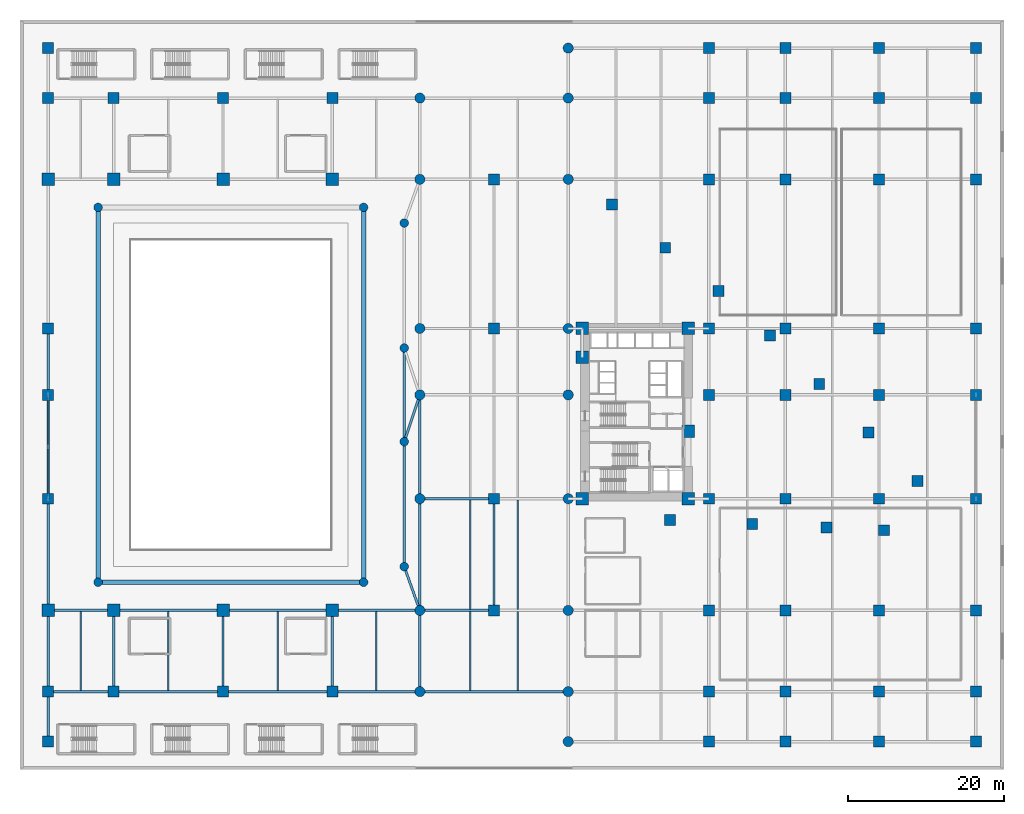
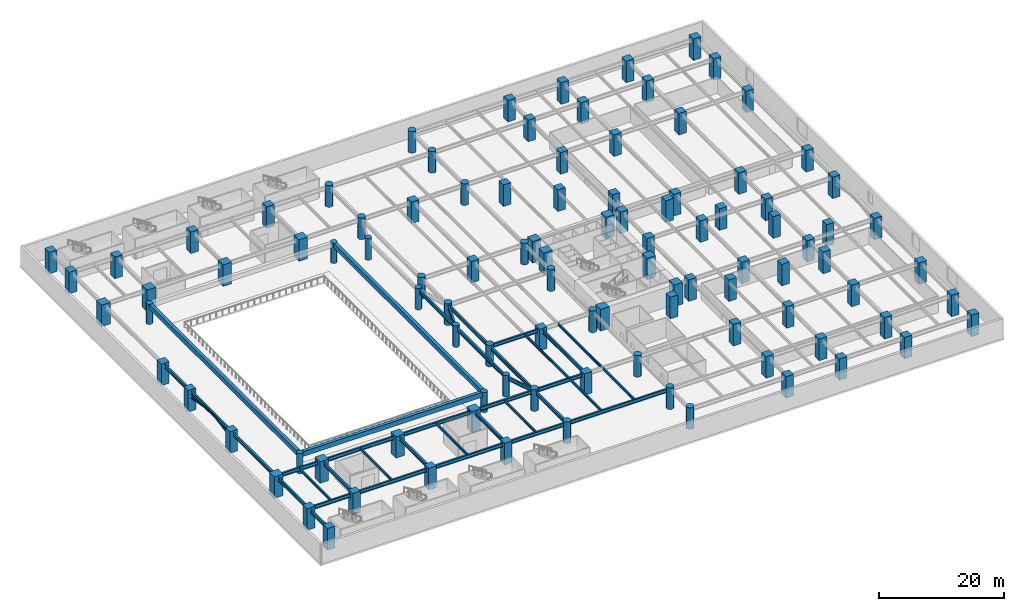
# One storey, part 1 of 25: 102 columns, 38 beams, 2 members.
"""IFC4 building model written with IfcOpenShell, lengths in metres."""

from ifc_helpers import new_model, si_unit, direction, frame, origin, origin_2d, place, context, subcontext, project, spatial, rectangle, circle, hollow_circle, i_section, extrude, material, material_profile, profile_set, type_object, element, save


model = new_model("IFC4")

# Units and contexts
model_context = context("Model", 3, precision=1e-05, world=origin(), true_north=direction((0.0, 1.0)))
body_context = subcontext(model_context, "Body", "Model", "MODEL_VIEW")
ifc_project = project(units=[si_unit("LENGTHUNIT", "METRE"), si_unit("AREAUNIT", "SQUARE_METRE"), si_unit("VOLUMEUNIT", "CUBIC_METRE"), si_unit("PLANEANGLEUNIT", "RADIAN"), si_unit("MASSUNIT", "GRAM", prefix="KILO")], contexts=[model_context])

# Site, building, storey
site_placement = place(None, origin())
site = spatial("IfcSite", under=ifc_project, at=site_placement, CompositionType="ELEMENT")
building_placement = place(site_placement, origin())
building = spatial("IfcBuilding", under=site, at=building_placement, Name="Narakoshi Arena Tower", CompositionType="ELEMENT")
storey_placement = place(building_placement, frame((0.0, 0.0, 9.0)))
storey = spatial("IfcBuildingStorey", under=building, at=storey_placement, Name="L02", CompositionType="ELEMENT", Elevation=9.0)

# Columns
ifc_material_1 = material(Name="Concrete C50/60", Category="concrete")
ifc_material_profile_1 = material_profile(ifc_material_1, circle(Radius=0.550048828125, at=origin_2d()), Name="RCC1100")
ifc_profile_set_1 = profile_set([ifc_material_profile_1], Name="Concrete C50/60")
column_type_1 = type_object("IfcColumnType", Name="COL-CIR1100", PredefinedType="PILASTER", material=ifc_profile_set_1)
for number, where, z_axis, x_axis, name in (
    (1, (10.0, 24.0, 0.0), (0.0, 0.0, 1.0), (1.0, 0.0, 0.0), "L02 Arena Bowl Raker Column BWL3A"),
    (2, (44.0, 24.0, 0.0), (0.0, 0.0, 1.0), (1.0, 0.0, 0.0), "L02 Arena Bowl Raker Column BWL3B"),
    (3, (44.0, 72.0, 0.0), (0.0, 0.0, 1.0), (1.0, 0.0, 0.0), "L02 Arena Bowl Raker Column BWL3C"),
    (4, (10.0, 72.0, 0.0), (0.0, 0.0, 1.0), (1.0, 0.0, 0.0), "L02 Arena Bowl Raker Column BWL3D"),
):
    element("IfcColumn", number, at=place(storey_placement, frame(where, z_axis=z_axis, x_axis=x_axis)), inside=storey, type_object=column_type_1, Name=name, PredefinedType="PILASTER", context=body_context, shape_type="SweptSolid", body=[
        extrude(circle(Radius=0.550048828125, at=origin_2d()), origin(), (0.0, 0.0, 1.0), 3.919921875),
    ])
for number, where, z_axis, x_axis, name in (
    (5, (49.199951171875, 26.0, 0.0), (0.0, 0.0, 1.0), (1.0, 0.0, 0.0), "L02 Arena Foyer Pilaster Column 01"),
    (6, (49.199951171875, 42.0, 0.0), (0.0, 0.0, 1.0), (1.0, 0.0, 0.0), "L02 Arena Foyer Pilaster Column 02"),
    (7, (49.199951171875, 54.0, 0.0), (0.0, 0.0, 1.0), (1.0, 0.0, 0.0), "L02 Arena Foyer Pilaster Column 03"),
    (8, (49.199951171875, 70.0, 0.0), (0.0, 0.0, 1.0), (1.0, 0.0, 0.0), "L02 Arena Foyer Pilaster Column 04"),
):
    element("IfcColumn", number, at=place(storey_placement, frame(where, z_axis=z_axis, x_axis=x_axis)), inside=storey, type_object=column_type_1, Name=name, PredefinedType="PILASTER", context=body_context, shape_type="SweptSolid", body=[
        extrude(circle(Radius=0.550048828125, at=origin_2d()), origin(), (0.0, 0.0, 1.0), 4.199951171875),
    ])
ifc_material_2 = material(Name="Concrete C60/75", Category="concrete")
ifc_material_profile_2 = material_profile(ifc_material_2, circle(Radius=0.64990234375, at=origin_2d()), Name="RCC1300")
ifc_profile_set_2 = profile_set([ifc_material_profile_2], Name="Concrete C60/75")
column_type_2 = type_object("IfcColumnType", Name="COL-CIR1300", PredefinedType="PILASTER", material=ifc_profile_set_2)
for number, where, z_axis, x_axis, name in (
    (9, (51.199951171875, 10.0, 0.0), (0.0, 0.0, 1.0), (1.0, 0.0, 0.0), "L02 Podium Column PC22"),
    (10, (51.199951171875, 20.39990234375, 0.0), (0.0, 0.0, 1.0), (1.0, 0.0, 0.0), "L02 Podium Column PC23"),
    (11, (51.199951171875, 34.699951171875, 0.0), (0.0, 0.0, 1.0), (1.0, 0.0, 0.0), "L02 Podium Column PC24"),
    (12, (51.199951171875, 48.0, 0.0), (0.0, 0.0, 1.0), (1.0, 0.0, 0.0), "L02 Podium Column PC25"),
    (13, (51.199951171875, 56.5, 0.0), (0.0, 0.0, 1.0), (1.0, 0.0, 0.0), "L02 Podium Column PC26"),
    (14, (51.199951171875, 75.60009765625, 0.0), (0.0, 0.0, 1.0), (1.0, 0.0, 0.0), "L02 Podium Column PC27"),
    (15, (51.199951171875, 86.0, 0.0), (0.0, 0.0, 1.0), (1.0, 0.0, 0.0), "L02 Podium Column PC28"),
    (16, (70.199951171875, 3.60009765625, 0.0), (0.0, 0.0, 1.0), (1.0, 0.0, 0.0), "L02 Podium Column PC33"),
    (17, (70.199951171875, 10.0, 0.0), (0.0, 0.0, 1.0), (1.0, 0.0, 0.0), "L02 Podium Column PC34"),
    (18, (70.199951171875, 20.39990234375, 0.0), (0.0, 0.0, 1.0), (1.0, 0.0, 0.0), "L02 Podium Column PC35"),
    (19, (70.199951171875, 34.699951171875, 0.0), (0.0, 0.0, 1.0), (1.0, 0.0, 0.0), "L02 Podium Column PC36"),
    (20, (70.199951171875, 48.0, 0.0), (0.0, 0.0, 1.0), (1.0, 0.0, 0.0), "L02 Podium Column PC37"),
    (21, (70.199951171875, 56.5, 0.0), (0.0, 0.0, 1.0), (1.0, 0.0, 0.0), "L02 Podium Column PC38"),
    (22, (70.199951171875, 75.60009765625, 0.0), (0.0, 0.0, 1.0), (1.0, 0.0, 0.0), "L02 Podium Column PC39"),
    (23, (70.199951171875, 86.0, 0.0), (0.0, 0.0, 1.0), (1.0, 0.0, 0.0), "L02 Podium Column PC40"),
    (24, (70.199951171875, 92.39990234375, 0.0), (0.0, 0.0, 1.0), (1.0, 0.0, 0.0), "L02 Podium Column PC41"),
):
    element("IfcColumn", number, at=place(storey_placement, frame(where, z_axis=z_axis, x_axis=x_axis)), inside=storey, type_object=column_type_2, Name=name, PredefinedType="PILASTER", context=body_context, shape_type="SweptSolid", body=[
        extrude(circle(Radius=0.64990234375, at=origin_2d()), origin(), (0.0, 0.0, 1.0), 4.199951171875),
    ])
ifc_material_profile_3 = material_profile(ifc_material_2, rectangle(XDim=1.39990234375, YDim=1.39990234375, at=origin_2d()), Name="RC1400x1400")
ifc_profile_set_3 = profile_set([ifc_material_profile_3], Name="Concrete C60/75")
column_type_3 = type_object("IfcColumnType", Name="COL-RC1400", PredefinedType="COLUMN", material=ifc_profile_set_3)
for number, where, z_axis, x_axis, name in (
    (25, (3.60009765625, 3.60009765625, 0.0), (0.0, 0.0, 1.0), (1.0, 0.0, 0.0), "L02 Podium Column PC01"),
    (26, (3.60009765625, 10.0, 0.0), (0.0, 0.0, 1.0), (1.0, 0.0, 0.0), "L02 Podium Column PC02"),
    (27, (3.60009765625, 34.699951171875, 0.0), (0.0, 0.0, 1.0), (1.0, 0.0, 0.0), "L02 Podium Column PC04"),
    (28, (3.60009765625, 48.0, 0.0), (0.0, 0.0, 1.0), (1.0, 0.0, 0.0), "L02 Podium Column PC05"),
    (29, (3.60009765625, 56.5, 0.0), (0.0, 0.0, 1.0), (1.0, 0.0, 0.0), "L02 Podium Column PC06"),
    (30, (3.60009765625, 86.0, 0.0), (0.0, 0.0, 1.0), (1.0, 0.0, 0.0), "L02 Podium Column PC08"),
    (31, (3.60009765625, 92.39990234375, 0.0), (0.0, 0.0, 1.0), (1.0, 0.0, 0.0), "L02 Podium Column PC09"),
    (32, (12.0, 10.0, 0.0), (0.0, 0.0, 1.0), (1.0, 0.0, 0.0), "L02 Podium Column PC10"),
    (33, (12.0, 86.0, 0.0), (0.0, 0.0, 1.0), (1.0, 0.0, 0.0), "L02 Podium Column PC13"),
    (34, (26.0, 10.0, 0.0), (0.0, 0.0, 1.0), (1.0, 0.0, 0.0), "L02 Podium Column PC14"),
    (35, (26.0, 86.0, 0.0), (0.0, 0.0, 1.0), (1.0, 0.0, 0.0), "L02 Podium Column PC17"),
    (36, (40.0, 10.0, 0.0), (0.0, 0.0, 1.0), (1.0, 0.0, 0.0), "L02 Podium Column PC18"),
    (37, (40.0, 86.0, 0.0), (0.0, 0.0, 1.0), (1.0, 0.0, 0.0), "L02 Podium Column PC21"),
    (38, (60.699951171875, 20.39990234375, 0.0), (0.0, 0.0, 1.0), (1.0, 0.0, 0.0), "L02 Podium Column PC29"),
    (39, (60.699951171875, 34.699951171875, 0.0), (0.0, 0.0, 1.0), (1.0, 0.0, 0.0), "L02 Podium Column PC30"),
    (40, (60.699951171875, 56.5, 0.0), (0.0, 0.0, 1.0), (1.0, 0.0, 0.0), "L02 Podium Column PC31"),
    (41, (60.699951171875, 75.60009765625, 0.0), (0.0, 0.0, 1.0), (1.0, 0.0, 0.0), "L02 Podium Column PC32"),
    (42, (88.199951171875, 3.60009765625, 0.0), (0.0, 0.0, 1.0), (1.0, 0.0, 0.0), "L02 Podium Column PC42"),
    (43, (88.199951171875, 10.0, 0.0), (0.0, 0.0, 1.0), (1.0, 0.0, 0.0), "L02 Podium Column PC43"),
    (44, (88.199951171875, 20.39990234375, 0.0), (0.0, 0.0, 1.0), (1.0, 0.0, 0.0), "L02 Podium Column PC44"),
    (45, (88.199951171875, 34.699951171875, 0.0), (0.0, 0.0, 1.0), (1.0, 0.0, 0.0), "L02 Podium Column PC45"),
    (46, (88.199951171875, 48.0, 0.0), (0.0, 0.0, 1.0), (1.0, 0.0, 0.0), "L02 Podium Column PC46"),
    (47, (88.199951171875, 56.5, 0.0), (0.0, 0.0, 1.0), (1.0, 0.0, 0.0), "L02 Podium Column PC47"),
    (48, (88.199951171875, 75.60009765625, 0.0), (0.0, 0.0, 1.0), (1.0, 0.0, 0.0), "L02 Podium Column PC48"),
    (49, (88.199951171875, 86.0, 0.0), (0.0, 0.0, 1.0), (1.0, 0.0, 0.0), "L02 Podium Column PC49"),
    (50, (88.199951171875, 92.39990234375, 0.0), (0.0, 0.0, 1.0), (1.0, 0.0, 0.0), "L02 Podium Column PC50"),
    (51, (98.0, 3.60009765625, 0.0), (0.0, 0.0, 1.0), (1.0, 0.0, 0.0), "L02 Podium Column PC51"),
    (52, (98.0, 10.0, 0.0), (0.0, 0.0, 1.0), (1.0, 0.0, 0.0), "L02 Podium Column PC52"),
    (53, (98.0, 20.39990234375, 0.0), (0.0, 0.0, 1.0), (1.0, 0.0, 0.0), "L02 Podium Column PC53"),
    (54, (98.0, 34.699951171875, 0.0), (0.0, 0.0, 1.0), (1.0, 0.0, 0.0), "L02 Podium Column PC54"),
    (55, (98.0, 48.0, 0.0), (0.0, 0.0, 1.0), (1.0, 0.0, 0.0), "L02 Podium Column PC55"),
    (56, (98.0, 56.5, 0.0), (0.0, 0.0, 1.0), (1.0, 0.0, 0.0), "L02 Podium Column PC56"),
    (57, (98.0, 75.60009765625, 0.0), (0.0, 0.0, 1.0), (1.0, 0.0, 0.0), "L02 Podium Column PC57"),
    (58, (98.0, 86.0, 0.0), (0.0, 0.0, 1.0), (1.0, 0.0, 0.0), "L02 Podium Column PC58"),
    (59, (98.0, 92.39990234375, 0.0), (0.0, 0.0, 1.0), (1.0, 0.0, 0.0), "L02 Podium Column PC59"),
    (60, (110.0, 3.60009765625, 0.0), (0.0, 0.0, 1.0), (1.0, 0.0, 0.0), "L02 Podium Column PC60"),
    (61, (110.0, 10.0, 0.0), (0.0, 0.0, 1.0), (1.0, 0.0, 0.0), "L02 Podium Column PC61"),
    (62, (110.0, 20.39990234375, 0.0), (0.0, 0.0, 1.0), (1.0, 0.0, 0.0), "L02 Podium Column PC62"),
    (63, (110.0, 34.699951171875, 0.0), (0.0, 0.0, 1.0), (1.0, 0.0, 0.0), "L02 Podium Column PC63"),
    (64, (110.0, 48.0, 0.0), (0.0, 0.0, 1.0), (1.0, 0.0, 0.0), "L02 Podium Column PC64"),
    (65, (110.0, 56.5, 0.0), (0.0, 0.0, 1.0), (1.0, 0.0, 0.0), "L02 Podium Column PC65"),
    (66, (110.0, 75.60009765625, 0.0), (0.0, 0.0, 1.0), (1.0, 0.0, 0.0), "L02 Podium Column PC66"),
    (67, (110.0, 86.0, 0.0), (0.0, 0.0, 1.0), (1.0, 0.0, 0.0), "L02 Podium Column PC67"),
    (68, (110.0, 92.39990234375, 0.0), (0.0, 0.0, 1.0), (1.0, 0.0, 0.0), "L02 Podium Column PC68"),
    (69, (122.39990234375, 3.60009765625, 0.0), (0.0, 0.0, 1.0), (1.0, 0.0, 0.0), "L02 Podium Column PC69"),
    (70, (122.39990234375, 10.0, 0.0), (0.0, 0.0, 1.0), (1.0, 0.0, 0.0), "L02 Podium Column PC70"),
    (71, (122.39990234375, 20.39990234375, 0.0), (0.0, 0.0, 1.0), (1.0, 0.0, 0.0), "L02 Podium Column PC71"),
    (72, (122.39990234375, 34.699951171875, 0.0), (0.0, 0.0, 1.0), (1.0, 0.0, 0.0), "L02 Podium Column PC72"),
    (73, (122.39990234375, 48.0, 0.0), (0.0, 0.0, 1.0), (1.0, 0.0, 0.0), "L02 Podium Column PC73"),
    (74, (122.39990234375, 56.5, 0.0), (0.0, 0.0, 1.0), (1.0, 0.0, 0.0), "L02 Podium Column PC74"),
    (75, (122.39990234375, 75.60009765625, 0.0), (0.0, 0.0, 1.0), (1.0, 0.0, 0.0), "L02 Podium Column PC75"),
    (76, (122.39990234375, 86.0, 0.0), (0.0, 0.0, 1.0), (1.0, 0.0, 0.0), "L02 Podium Column PC76"),
    (77, (122.39990234375, 92.39990234375, 0.0), (0.0, 0.0, 1.0), (1.0, 0.0, 0.0), "L02 Podium Column PC77"),
    (78, (83.2119140625, 31.979248046875, 0.0), (0.0, 0.0, 1.0), (1.0, 0.0, 0.0), "L02 Tower Plumb Pier B1P01"),
    (79, (93.760009765625, 31.472412109375, 0.0), (0.0, 0.0, 1.0), (1.0, 0.0, 0.0), "L02 Tower Plumb Pier B1P02"),
    (80, (103.2529296875, 31.0166015625, 0.0), (0.0, 0.0, 1.0), (1.0, 0.0, 0.0), "L02 Tower Plumb Pier B1P03"),
    (81, (110.636474609375, 30.661865234375, 0.0), (0.0, 0.0, 1.0), (1.0, 0.0, 0.0), "L02 Tower Plumb Pier B1P04"),
    (82, (114.942138671875, 36.969970703125, 0.0), (0.0, 0.0, 1.0), (1.0, 0.0, 0.0), "L02 Tower Plumb Pier B1P05"),
    (83, (108.643798828125, 43.171875, 0.0), (0.0, 0.0, 1.0), (1.0, 0.0, 0.0), "L02 Tower Plumb Pier B1P06"),
    (84, (102.345458984375, 49.373779296875, 0.0), (0.0, 0.0, 1.0), (1.0, 0.0, 0.0), "L02 Tower Plumb Pier B1P07"),
    (85, (96.047119140625, 55.57568359375, 0.0), (0.0, 0.0, 1.0), (1.0, 0.0, 0.0), "L02 Tower Plumb Pier B1P08"),
    (86, (89.459716796875, 61.28515625, 0.0), (0.0, 0.0, 1.0), (1.0, 0.0, 0.0), "L02 Tower Plumb Pier B1P09"),
    (87, (82.626953125, 66.838623046875, 0.0), (0.0, 0.0, 1.0), (1.0, 0.0, 0.0), "L02 Tower Plumb Pier B1P10"),
    (88, (75.794189453125, 72.392333984375, 0.0), (0.0, 0.0, 1.0), (1.0, 0.0, 0.0), "L02 Tower Plumb Pier B1P11"),
):
    element("IfcColumn", number, at=place(storey_placement, frame(where, z_axis=z_axis, x_axis=x_axis)), inside=storey, type_object=column_type_3, Name=name, PredefinedType="COLUMN", context=body_context, shape_type="SweptSolid", body=[
        extrude(rectangle(XDim=1.39990234375, YDim=1.39990234375, at=origin_2d()), origin(), (0.0, 0.0, 1.0), 4.199951171875),
    ])
ifc_material_profile_4 = material_profile(ifc_material_2, rectangle(XDim=1.60009765625, YDim=1.60009765625, at=origin_2d()), Name="RC1600x1600")
ifc_profile_set_4 = profile_set([ifc_material_profile_4], Name="Concrete C60/75")
column_type_4 = type_object("IfcColumnType", Name="COL-RC1600", PredefinedType="COLUMN", material=ifc_profile_set_4)
for number, where, z_axis, x_axis, name in (
    (89, (72.0, 34.699951171875, 0.0), (0.0, 0.0, 1.0), (1.0, 0.0, 0.0), "L02 Podium Column CC1"),
    (90, (85.550048828125, 34.699951171875, 0.0), (0.0, 0.0, 1.0), (1.0, 0.0, 0.0), "L02 Podium Column CC2"),
    (91, (85.550048828125, 43.35009765625, 0.0), (0.0, 0.0, 1.0), (1.0, 0.0, 0.0), "L02 Podium Column CC3"),
    (92, (72.0, 52.800048828125, 0.0), (0.0, 0.0, 1.0), (1.0, 0.0, 0.0), "L02 Podium Column CC4"),
    (93, (72.0, 56.5, 0.0), (0.0, 0.0, 1.0), (1.0, 0.0, 0.0), "L02 Podium Column CC5"),
    (94, (85.550048828125, 56.5, 0.0), (0.0, 0.0, 1.0), (1.0, 0.0, 0.0), "L02 Podium Column CC6"),
    (95, (3.60009765625, 20.39990234375, 0.0), (0.0, 0.0, 1.0), (1.0, 0.0, 0.0), "L02 Podium Column PC03"),
    (96, (3.60009765625, 75.60009765625, 0.0), (0.0, 0.0, 1.0), (1.0, 0.0, 0.0), "L02 Podium Column PC07"),
    (97, (12.0, 20.39990234375, 0.0), (0.0, 0.0, 1.0), (1.0, 0.0, 0.0), "L02 Podium Column PC11"),
    (98, (12.0, 75.60009765625, 0.0), (0.0, 0.0, 1.0), (1.0, 0.0, 0.0), "L02 Podium Column PC12"),
    (99, (26.0, 20.39990234375, 0.0), (0.0, 0.0, 1.0), (1.0, 0.0, 0.0), "L02 Podium Column PC15"),
    (100, (26.0, 75.60009765625, 0.0), (0.0, 0.0, 1.0), (1.0, 0.0, 0.0), "L02 Podium Column PC16"),
    (101, (40.0, 20.39990234375, 0.0), (0.0, 0.0, 1.0), (1.0, 0.0, 0.0), "L02 Podium Column PC19"),
    (102, (40.0, 75.60009765625, 0.0), (0.0, 0.0, 1.0), (1.0, 0.0, 0.0), "L02 Podium Column PC20"),
):
    element("IfcColumn", number, at=place(storey_placement, frame(where, z_axis=z_axis, x_axis=x_axis)), inside=storey, type_object=column_type_4, Name=name, PredefinedType="COLUMN", context=body_context, shape_type="SweptSolid", body=[
        extrude(rectangle(XDim=1.60009765625, YDim=1.60009765625, at=origin_2d()), origin(), (0.0, 0.0, 1.0), 4.199951171875),
    ])

# Beams
ifc_material_3 = material(Name="Structural steel S355J2", Category="steel")
ifc_material_profile_5 = material_profile(ifc_material_3, i_section(OverallWidth=0.300048828125, OverallDepth=0.699951171875, WebThickness=0.01708984375, FlangeThickness=0.031982421875, FilletRadius=0.027099609375, at=origin_2d()), Name="HE700B")
ifc_profile_set_5 = profile_set([ifc_material_profile_5], Name="Structural steel S355J2")
beam_type_1 = type_object("IfcBeamType", Name="BM-PRI-700", PredefinedType="BEAM", material=ifc_profile_set_5)
beam_1_placement = place(storey_placement, frame((49.199951171875, 26.0, 3.530029296875), z_axis=(0.336331195321, -0.94174376932, 0.0), x_axis=(0.94174376932, 0.336331195321, 0.0)))
element("IfcBeam", 103, at=beam_1_placement, inside=storey, type_object=beam_type_1, Name="L02 Arena Foyer Tie Beam 01", PredefinedType="BEAM", context=body_context, shape_type="SweptSolid", body=[
    extrude(i_section(OverallWidth=0.300048828125, OverallDepth=0.699951171875, WebThickness=0.01708984375, FlangeThickness=0.031982421875, FilletRadius=0.027099609375, at=origin_2d()), origin(), (0.0, 0.0, 1.0), 5.946533203125),
])
beam_2_placement = place(storey_placement, frame((49.199951171875, 42.0, 3.530029296875), z_axis=(0.316227766017, 0.948683298051, 0.0), x_axis=(-0.948683298051, 0.316227766017, 0.0)))
element("IfcBeam", 104, at=beam_2_placement, inside=storey, type_object=beam_type_1, Name="L02 Arena Foyer Tie Beam 02", PredefinedType="BEAM", context=body_context, shape_type="SweptSolid", body=[
    extrude(i_section(OverallWidth=0.300048828125, OverallDepth=0.699951171875, WebThickness=0.01708984375, FlangeThickness=0.031982421875, FilletRadius=0.027099609375, at=origin_2d()), origin(), (0.0, 0.0, 1.0), 6.324462890625),
])
beam_3_placement = place(storey_placement, frame((49.199951171875, 26.0, 3.530029296875), z_axis=(0.0, 1.0, 0.0), x_axis=(-1.0, 0.0, 0.0)))
element("IfcBeam", 105, at=beam_3_placement, inside=storey, type_object=beam_type_1, Name="L02 Arena Foyer Ring Beam 26", PredefinedType="BEAM", context=body_context, shape_type="SweptSolid", body=[
    extrude(i_section(OverallWidth=0.300048828125, OverallDepth=0.699951171875, WebThickness=0.01708984375, FlangeThickness=0.031982421875, FilletRadius=0.027099609375, at=origin_2d()), origin(), (0.0, 0.0, 1.0), 16.0),
])
beam_4_placement = place(storey_placement, frame((49.199951171875, 42.0, 3.530029296875), z_axis=(0.0, 1.0, 0.0), x_axis=(-1.0, 0.0, 0.0)))
element("IfcBeam", 106, at=beam_4_placement, inside=storey, type_object=beam_type_1, Name="L02 Arena Foyer Ring Beam 42", PredefinedType="BEAM", context=body_context, shape_type="SweptSolid", body=[
    extrude(i_section(OverallWidth=0.300048828125, OverallDepth=0.699951171875, WebThickness=0.01708984375, FlangeThickness=0.031982421875, FilletRadius=0.027099609375, at=origin_2d()), origin(), (0.0, 0.0, 1.0), 12.0),
])
beam_5_placement = place(storey_placement, frame((3.60009765625, 10.0, 3.530029296875), z_axis=(1.0, 0.0, 0.0), x_axis=(0.0, 1.0, 0.0)))
element("IfcBeam", 107, at=beam_5_placement, inside=storey, type_object=beam_type_1, Name="L02 Podium Primary X-Girder 005", PredefinedType="BEAM", context=body_context, shape_type="SweptSolid", body=[
    extrude(i_section(OverallWidth=0.300048828125, OverallDepth=0.699951171875, WebThickness=0.01708984375, FlangeThickness=0.031982421875, FilletRadius=0.027099609375, at=origin_2d()), origin(), (0.0, 0.0, 1.0), 8.39990234375),
])
for number, where, z_axis, x_axis, name in (
    (108, (12.0, 10.0, 3.530029296875), (1.0, 0.0, 0.0), (0.0, 1.0, 0.0), "L02 Podium Primary X-Girder 006"),
    (109, (26.0, 10.0, 3.530029296875), (1.0, 0.0, 0.0), (0.0, 1.0, 0.0), "L02 Podium Primary X-Girder 007"),
):
    element("IfcBeam", number, at=place(storey_placement, frame(where, z_axis=z_axis, x_axis=x_axis)), inside=storey, type_object=beam_type_1, Name=name, PredefinedType="BEAM", context=body_context, shape_type="SweptSolid", body=[
        extrude(i_section(OverallWidth=0.300048828125, OverallDepth=0.699951171875, WebThickness=0.01708984375, FlangeThickness=0.031982421875, FilletRadius=0.027099609375, at=origin_2d()), origin(), (0.0, 0.0, 1.0), 14.0),
    ])
beam_6_placement = place(storey_placement, frame((40.0, 10.0, 3.530029296875), z_axis=(1.0, 0.0, 0.0), x_axis=(0.0, 1.0, 0.0)))
element("IfcBeam", 110, at=beam_6_placement, inside=storey, type_object=beam_type_1, Name="L02 Podium Primary X-Girder 008", PredefinedType="BEAM", context=body_context, shape_type="SweptSolid", body=[
    extrude(i_section(OverallWidth=0.300048828125, OverallDepth=0.699951171875, WebThickness=0.01708984375, FlangeThickness=0.031982421875, FilletRadius=0.027099609375, at=origin_2d()), origin(), (0.0, 0.0, 1.0), 11.199951171875),
])
beam_7_placement = place(storey_placement, frame((51.199951171875, 10.0, 3.530029296875), z_axis=(1.0, 0.0, 0.0), x_axis=(0.0, 1.0, 0.0)))
element("IfcBeam", 111, at=beam_7_placement, inside=storey, type_object=beam_type_1, Name="L02 Podium Primary X-Girder 009", PredefinedType="BEAM", context=body_context, shape_type="SweptSolid", body=[
    extrude(i_section(OverallWidth=0.300048828125, OverallDepth=0.699951171875, WebThickness=0.01708984375, FlangeThickness=0.031982421875, FilletRadius=0.027099609375, at=origin_2d()), origin(), (0.0, 0.0, 1.0), 19.0),
])
beam_8_placement = place(storey_placement, frame((3.60009765625, 20.39990234375, 3.530029296875), z_axis=(1.0, 0.0, 0.0), x_axis=(0.0, 1.0, 0.0)))
element("IfcBeam", 112, at=beam_8_placement, inside=storey, type_object=beam_type_1, Name="L02 Podium Primary X-Girder 014", PredefinedType="BEAM", context=body_context, shape_type="SweptSolid", body=[
    extrude(i_section(OverallWidth=0.300048828125, OverallDepth=0.699951171875, WebThickness=0.01708984375, FlangeThickness=0.031982421875, FilletRadius=0.027099609375, at=origin_2d()), origin(), (0.0, 0.0, 1.0), 8.39990234375),
])
for number, where, z_axis, x_axis, name in (
    (113, (12.0, 20.39990234375, 3.530029296875), (1.0, 0.0, 0.0), (0.0, 1.0, 0.0), "L02 Podium Primary X-Girder 015"),
    (114, (26.0, 20.39990234375, 3.530029296875), (1.0, 0.0, 0.0), (0.0, 1.0, 0.0), "L02 Podium Primary X-Girder 016"),
):
    element("IfcBeam", number, at=place(storey_placement, frame(where, z_axis=z_axis, x_axis=x_axis)), inside=storey, type_object=beam_type_1, Name=name, PredefinedType="BEAM", context=body_context, shape_type="SweptSolid", body=[
        extrude(i_section(OverallWidth=0.300048828125, OverallDepth=0.699951171875, WebThickness=0.01708984375, FlangeThickness=0.031982421875, FilletRadius=0.027099609375, at=origin_2d()), origin(), (0.0, 0.0, 1.0), 14.0),
    ])
beam_9_placement = place(storey_placement, frame((40.0, 20.39990234375, 3.530029296875), z_axis=(1.0, 0.0, 0.0), x_axis=(0.0, 1.0, 0.0)))
element("IfcBeam", 115, at=beam_9_placement, inside=storey, type_object=beam_type_1, Name="L02 Podium Primary X-Girder 017", PredefinedType="BEAM", context=body_context, shape_type="SweptSolid", body=[
    extrude(i_section(OverallWidth=0.300048828125, OverallDepth=0.699951171875, WebThickness=0.01708984375, FlangeThickness=0.031982421875, FilletRadius=0.027099609375, at=origin_2d()), origin(), (0.0, 0.0, 1.0), 11.199951171875),
])
for number, where, z_axis, x_axis, name in (
    (116, (51.199951171875, 20.39990234375, 3.530029296875), (1.0, 0.0, 0.0), (0.0, 1.0, 0.0), "L02 Podium Primary X-Girder 018"),
    (117, (51.199951171875, 34.699951171875, 3.530029296875), (1.0, 0.0, 0.0), (0.0, 1.0, 0.0), "L02 Podium Primary X-Girder 024"),
):
    element("IfcBeam", number, at=place(storey_placement, frame(where, z_axis=z_axis, x_axis=x_axis)), inside=storey, type_object=beam_type_1, Name=name, PredefinedType="BEAM", context=body_context, shape_type="SweptSolid", body=[
        extrude(i_section(OverallWidth=0.300048828125, OverallDepth=0.699951171875, WebThickness=0.01708984375, FlangeThickness=0.031982421875, FilletRadius=0.027099609375, at=origin_2d()), origin(), (0.0, 0.0, 1.0), 9.5),
    ])
beam_10_placement = place(storey_placement, frame((3.60009765625, 3.60009765625, 3.530029296875), z_axis=(0.0, 1.0, 0.0), x_axis=(-1.0, 0.0, 0.0)))
element("IfcBeam", 118, at=beam_10_placement, inside=storey, type_object=beam_type_1, Name="L02 Podium Primary Y-Girder 066", PredefinedType="BEAM", context=body_context, shape_type="SweptSolid", body=[
    extrude(i_section(OverallWidth=0.300048828125, OverallDepth=0.699951171875, WebThickness=0.01708984375, FlangeThickness=0.031982421875, FilletRadius=0.027099609375, at=origin_2d()), origin(), (0.0, 0.0, 1.0), 6.39990234375),
])
beam_11_placement = place(storey_placement, frame((3.60009765625, 10.0, 3.530029296875), z_axis=(0.0, 1.0, 0.0), x_axis=(-1.0, 0.0, 0.0)))
element("IfcBeam", 119, at=beam_11_placement, inside=storey, type_object=beam_type_1, Name="L02 Podium Primary Y-Girder 067", PredefinedType="BEAM", context=body_context, shape_type="SweptSolid", body=[
    extrude(i_section(OverallWidth=0.300048828125, OverallDepth=0.699951171875, WebThickness=0.01708984375, FlangeThickness=0.031982421875, FilletRadius=0.027099609375, at=origin_2d()), origin(), (0.0, 0.0, 1.0), 10.39990234375),
])
beam_12_placement = place(storey_placement, frame((3.60009765625, 20.39990234375, 3.530029296875), z_axis=(0.0, 1.0, 0.0), x_axis=(-1.0, 0.0, 0.0)))
element("IfcBeam", 120, at=beam_12_placement, inside=storey, type_object=beam_type_1, Name="L02 Podium Primary Y-Girder 068", PredefinedType="BEAM", context=body_context, shape_type="SweptSolid", body=[
    extrude(i_section(OverallWidth=0.300048828125, OverallDepth=0.699951171875, WebThickness=0.01708984375, FlangeThickness=0.031982421875, FilletRadius=0.027099609375, at=origin_2d()), origin(), (0.0, 0.0, 1.0), 14.300048828125),
])
beam_13_placement = place(storey_placement, frame((3.60009765625, 34.699951171875, 3.530029296875), z_axis=(0.0, 1.0, 0.0), x_axis=(-1.0, 0.0, 0.0)))
element("IfcBeam", 121, at=beam_13_placement, inside=storey, type_object=beam_type_1, Name="L02 Podium Primary Y-Girder 069", PredefinedType="BEAM", context=body_context, shape_type="SweptSolid", body=[
    extrude(i_section(OverallWidth=0.300048828125, OverallDepth=0.699951171875, WebThickness=0.01708984375, FlangeThickness=0.031982421875, FilletRadius=0.027099609375, at=origin_2d()), origin(), (0.0, 0.0, 1.0), 13.300048828125),
])
beam_14_placement = place(storey_placement, frame((3.60009765625, 48.0, 3.530029296875), z_axis=(0.0, 1.0, 0.0), x_axis=(-1.0, 0.0, 0.0)))
element("IfcBeam", 122, at=beam_14_placement, inside=storey, type_object=beam_type_1, Name="L02 Podium Primary Y-Girder 070", PredefinedType="BEAM", context=body_context, shape_type="SweptSolid", body=[
    extrude(i_section(OverallWidth=0.300048828125, OverallDepth=0.699951171875, WebThickness=0.01708984375, FlangeThickness=0.031982421875, FilletRadius=0.027099609375, at=origin_2d()), origin(), (0.0, 0.0, 1.0), 8.5),
])
for number, where, z_axis, x_axis, name in (
    (123, (12.0, 10.0, 3.530029296875), (0.0, 1.0, 0.0), (-1.0, 0.0, 0.0), "L02 Podium Primary Y-Girder 074"),
    (124, (26.0, 10.0, 3.530029296875), (0.0, 1.0, 0.0), (-1.0, 0.0, 0.0), "L02 Podium Primary Y-Girder 076"),
    (125, (40.0, 10.0, 3.530029296875), (0.0, 1.0, 0.0), (-1.0, 0.0, 0.0), "L02 Podium Primary Y-Girder 078"),
    (126, (51.199951171875, 10.0, 3.530029296875), (0.0, 1.0, 0.0), (-1.0, 0.0, 0.0), "L02 Podium Primary Y-Girder 080"),
):
    element("IfcBeam", number, at=place(storey_placement, frame(where, z_axis=z_axis, x_axis=x_axis)), inside=storey, type_object=beam_type_1, Name=name, PredefinedType="BEAM", context=body_context, shape_type="SweptSolid", body=[
        extrude(i_section(OverallWidth=0.300048828125, OverallDepth=0.699951171875, WebThickness=0.01708984375, FlangeThickness=0.031982421875, FilletRadius=0.027099609375, at=origin_2d()), origin(), (0.0, 0.0, 1.0), 10.39990234375),
    ])
beam_15_placement = place(storey_placement, frame((51.199951171875, 20.39990234375, 3.530029296875), z_axis=(0.0, 1.0, 0.0), x_axis=(-1.0, 0.0, 0.0)))
element("IfcBeam", 127, at=beam_15_placement, inside=storey, type_object=beam_type_1, Name="L02 Podium Primary Y-Girder 081", PredefinedType="BEAM", context=body_context, shape_type="SweptSolid", body=[
    extrude(i_section(OverallWidth=0.300048828125, OverallDepth=0.699951171875, WebThickness=0.01708984375, FlangeThickness=0.031982421875, FilletRadius=0.027099609375, at=origin_2d()), origin(), (0.0, 0.0, 1.0), 14.300048828125),
])
beam_16_placement = place(storey_placement, frame((51.199951171875, 34.699951171875, 3.530029296875), z_axis=(0.0, 1.0, 0.0), x_axis=(-1.0, 0.0, 0.0)))
element("IfcBeam", 128, at=beam_16_placement, inside=storey, type_object=beam_type_1, Name="L02 Podium Primary Y-Girder 082", PredefinedType="BEAM", context=body_context, shape_type="SweptSolid", body=[
    extrude(i_section(OverallWidth=0.300048828125, OverallDepth=0.699951171875, WebThickness=0.01708984375, FlangeThickness=0.031982421875, FilletRadius=0.027099609375, at=origin_2d()), origin(), (0.0, 0.0, 1.0), 13.300048828125),
])
beam_17_placement = place(storey_placement, frame((60.699951171875, 20.39990234375, 3.530029296875), z_axis=(0.0, 1.0, 0.0), x_axis=(-1.0, 0.0, 0.0)))
element("IfcBeam", 129, at=beam_17_placement, inside=storey, type_object=beam_type_1, Name="L02 Podium Primary Y-Girder 086", PredefinedType="BEAM", context=body_context, shape_type="SweptSolid", body=[
    extrude(i_section(OverallWidth=0.300048828125, OverallDepth=0.699951171875, WebThickness=0.01708984375, FlangeThickness=0.031982421875, FilletRadius=0.027099609375, at=origin_2d()), origin(), (0.0, 0.0, 1.0), 14.300048828125),
])
ifc_material_profile_6 = material_profile(ifc_material_1, rectangle(XDim=0.60009765625, YDim=0.89990234375, at=origin_2d()), Name="RCB600x900")
ifc_profile_set_6 = profile_set([ifc_material_profile_6], Name="Concrete C50/60")
beam_type_2 = type_object("IfcBeamType", Name="BM-RC-900", PredefinedType="BEAM", material=ifc_profile_set_6)
beam_18_placement = place(storey_placement, frame((10.0, 24.0, 3.469970703125), z_axis=(1.0, 0.0, 0.0), x_axis=(0.0, 1.0, 0.0)))
element("IfcBeam", 130, at=beam_18_placement, inside=storey, type_object=beam_type_2, Name="L02 Arena Bowl Concrete Ring Beam 1", PredefinedType="BEAM", context=body_context, shape_type="SweptSolid", body=[
    extrude(rectangle(XDim=0.60009765625, YDim=0.89990234375, at=origin_2d()), origin(), (0.0, 0.0, 1.0), 34.0),
])
for number, where, z_axis, x_axis, name in (
    (131, (44.0, 24.0, 3.469970703125), (0.0, 1.0, 0.0), (-1.0, 0.0, 0.0), "L02 Arena Bowl Concrete Ring Beam 2"),
    (132, (10.0, 72.0, 3.469970703125), (0.0, -1.0, 0.0), (1.0, 0.0, 0.0), "L02 Arena Bowl Concrete Ring Beam 4"),
):
    element("IfcBeam", number, at=place(storey_placement, frame(where, z_axis=z_axis, x_axis=x_axis)), inside=storey, type_object=beam_type_2, Name=name, PredefinedType="BEAM", context=body_context, shape_type="SweptSolid", body=[
        extrude(rectangle(XDim=0.60009765625, YDim=0.89990234375, at=origin_2d()), origin(), (0.0, 0.0, 1.0), 48.0),
    ])
ifc_material_profile_7 = material_profile(ifc_material_3, i_section(OverallWidth=0.199951171875, OverallDepth=0.5, WebThickness=0.01025390625, FlangeThickness=0.01611328125, FilletRadius=0.02099609375, at=origin_2d()), Name="IPE500")
ifc_profile_set_7 = profile_set([ifc_material_profile_7], Name="Structural steel S355J2")
beam_type_3 = type_object("IfcBeamType", Name="BM-SEC-500", PredefinedType="JOIST", material=ifc_profile_set_7)
for number, where, z_axis, x_axis, name in (
    (133, (7.800048828125, 10.135009765625, 3.6298828125), (0.0, 1.0, 0.0), (-1.0, 0.0, 0.0), "L02 Podium Composite Floor Joist 001"),
    (134, (19.0, 10.135009765625, 3.6298828125), (0.0, 1.0, 0.0), (-1.0, 0.0, 0.0), "L02 Podium Composite Floor Joist 003"),
    (135, (33.0, 10.135009765625, 3.6298828125), (0.0, 1.0, 0.0), (-1.0, 0.0, 0.0), "L02 Podium Composite Floor Joist 005"),
    (136, (45.60009765625, 10.135009765625, 3.6298828125), (0.0, 1.0, 0.0), (-1.0, 0.0, 0.0), "L02 Podium Composite Floor Joist 007"),
    (137, (57.659912109375, 10.135009765625, 3.6298828125), (0.0, 1.0, 0.0), (-1.0, 0.0, 0.0), "L02 Podium Composite Floor Joist 009"),
):
    element("IfcBeam", number, at=place(storey_placement, frame(where, z_axis=z_axis, x_axis=x_axis)), inside=storey, type_object=beam_type_3, Name=name, PredefinedType="JOIST", context=body_context, shape_type="SweptSolid", body=[
        extrude(i_section(OverallWidth=0.199951171875, OverallDepth=0.5, WebThickness=0.01025390625, FlangeThickness=0.01611328125, FilletRadius=0.02099609375, at=origin_2d()), origin(), (0.0, 0.0, 1.0), 10.1298828125),
    ])
beam_19_placement = place(storey_placement, frame((57.659912109375, 20.534912109375, 3.6298828125), z_axis=(0.0, 1.0, 0.0), x_axis=(-1.0, 0.0, 0.0)))
element("IfcBeam", 138, at=beam_19_placement, inside=storey, type_object=beam_type_3, Name="L02 Podium Composite Floor Joist 010", PredefinedType="JOIST", context=body_context, shape_type="SweptSolid", body=[
    extrude(i_section(OverallWidth=0.199951171875, OverallDepth=0.5, WebThickness=0.01025390625, FlangeThickness=0.01611328125, FilletRadius=0.02099609375, at=origin_2d()), origin(), (0.0, 0.0, 1.0), 14.030029296875),
])
beam_20_placement = place(storey_placement, frame((63.739990234375, 10.135009765625, 3.6298828125), z_axis=(0.0, 1.0, 0.0), x_axis=(-1.0, 0.0, 0.0)))
element("IfcBeam", 139, at=beam_20_placement, inside=storey, type_object=beam_type_3, Name="L02 Podium Composite Floor Joist 015", PredefinedType="JOIST", context=body_context, shape_type="SweptSolid", body=[
    extrude(i_section(OverallWidth=0.199951171875, OverallDepth=0.5, WebThickness=0.01025390625, FlangeThickness=0.01611328125, FilletRadius=0.02099609375, at=origin_2d()), origin(), (0.0, 0.0, 1.0), 10.1298828125),
])
beam_21_placement = place(storey_placement, frame((63.739990234375, 20.534912109375, 3.6298828125), z_axis=(0.0, 1.0, 0.0), x_axis=(-1.0, 0.0, 0.0)))
element("IfcBeam", 140, at=beam_21_placement, inside=storey, type_object=beam_type_3, Name="L02 Podium Composite Floor Joist 016", PredefinedType="JOIST", context=body_context, shape_type="SweptSolid", body=[
    extrude(i_section(OverallWidth=0.199951171875, OverallDepth=0.5, WebThickness=0.01025390625, FlangeThickness=0.01611328125, FilletRadius=0.02099609375, at=origin_2d()), origin(), (0.0, 0.0, 1.0), 14.030029296875),
])

# Members
ifc_material_profile_8 = material_profile(ifc_material_3, hollow_circle(Radius=0.161865234375, WallThickness=0.012451171875, at=origin_2d()), Name="CHS323x12")
ifc_profile_set_8 = profile_set([ifc_material_profile_8], Name="Structural steel S355J2")
member_type = type_object("IfcMemberType", Name="MEM-BR-323", PredefinedType="BRACE", material=ifc_profile_set_8)
member_1_placement = place(storey_placement, frame((3.60009765625, 34.699951171875, 2.39990234375), z_axis=(0.0, 0.985865592428, 0.167538155855), x_axis=(-1.0, 0.0, 0.0)))
element("IfcMember", 141, at=member_1_placement, inside=storey, type_object=member_type, Name="L02 Podium Lateral Brace 1A", PredefinedType="BRACE", context=body_context, shape_type="SweptSolid", body=[
    extrude(hollow_circle(Radius=0.161865234375, WallThickness=0.012451171875, at=origin_2d()), origin(), (0.0, 0.0, 1.0), 6.74560546875),
])
member_2_placement = place(storey_placement, frame((3.60009765625, 48.0, 2.39990234375), z_axis=(0.0, -0.985864576466, 0.167544134094), x_axis=(1.0, 0.0, 0.0)))
element("IfcMember", 142, at=member_2_placement, inside=storey, type_object=member_type, Name="L02 Podium Lateral Brace 1B", PredefinedType="BRACE", context=body_context, shape_type="SweptSolid", body=[
    extrude(hollow_circle(Radius=0.161865234375, WallThickness=0.012451171875, at=origin_2d()), origin(), (0.0, 0.0, 1.0), 6.745361328125),
])

save(model, "model.ifc")
